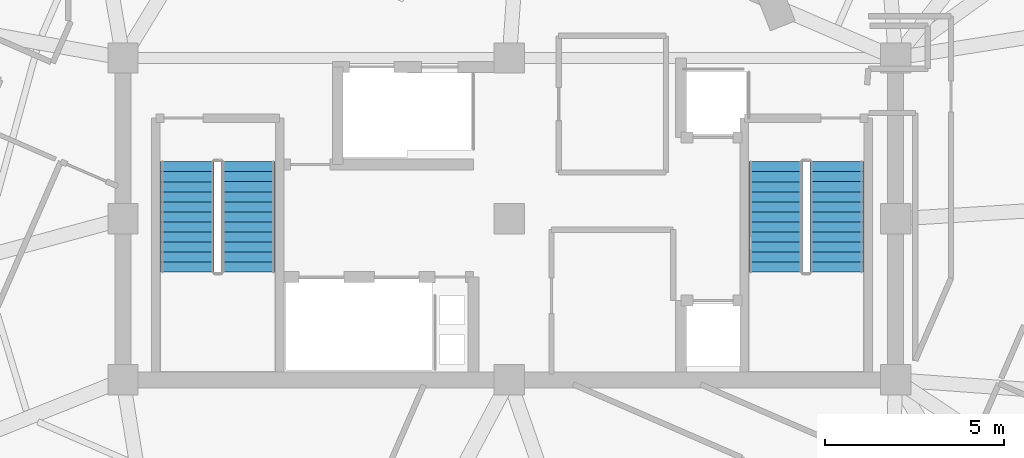
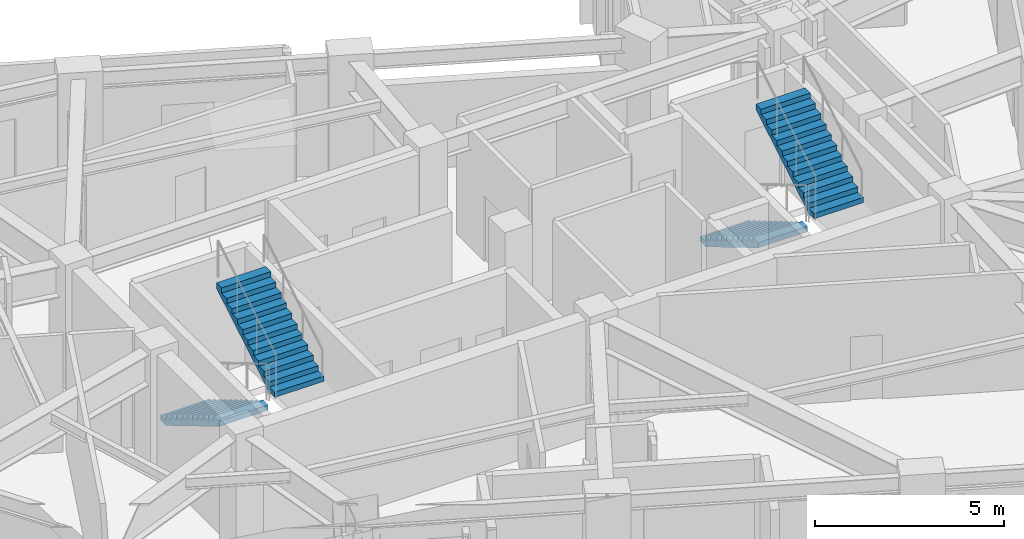
# One storey, part 8 of 12: 4 stair flights, 2 elements without a shape of their own.
"""IFC4 building model written with IfcOpenShell, lengths in metres."""

import ifcopenshell
import ifcopenshell.guid

model = None  # the IFC model being written
_history = None  # IfcOwnerHistory: only IFC2X3 demands one
_inside = {}  # id of a spatial element -> (the spatial element, [elements in it])
_under = {}  # id of a project, library or spatial element -> (it, [spatial elements below it])
_declared = {}  # id of a project -> (the project, [libraries it declares])
_typed = {}  # id of a type object -> (the type object, [elements of that type])
_made_of = {}  # id of a material, layer set ... -> (it, [elements and type objects made of it])


def new_model(schema):
    """Start an empty IFC model of exactly this schema.

    Asked for "IFC4X3", IfcOpenShell would pick the latest addendum, in which some entities
    have other attributes; the version numbers below select the first issue.
    IFC2X3 requires an IfcOwnerHistory on every rooted entity: one is made here for all.
    """
    global model, _history
    if schema == "IFC4X3":
        model = ifcopenshell.file(schema_version=(4, 3, 0, 0))
    else:
        model = ifcopenshell.file(schema=schema)
    _inside.clear()
    _under.clear()
    _declared.clear()
    _typed.clear()
    _made_of.clear()
    _history = None
    if model.schema == "IFC2X3":
        org = make("IfcOrganization", Name="unknown")
        user = make(
            "IfcPersonAndOrganization",
            ThePerson=make("IfcPerson", FamilyName="unknown"),
            TheOrganization=org,
        )
        app = make(
            "IfcApplication",
            ApplicationDeveloper=org,
            Version="unknown",
            ApplicationFullName="unknown",
            ApplicationIdentifier="unknown",
        )
        _history = make(
            "IfcOwnerHistory",
            OwningUser=user,
            OwningApplication=app,
            ChangeAction="ADDED",
            CreationDate=0,
        )
    return model


def make(cls, **values):
    """One entity of the class cls with the attributes given. An attribute that is None is left unset."""
    return model.create_entity(
        cls, **{name: value for name, value in values.items() if value is not None}
    )


def rooted(cls, **values):
    """An entity with a GlobalId (a new one), such as an element, a storey or a relation."""
    return make(cls, GlobalId=ifcopenshell.guid.new(), OwnerHistory=_history, **values)


def si_unit(unit_type, name, prefix=None):
    """IfcSIUnit, for example si_unit("LENGTHUNIT", "METRE", prefix="MILLI")."""
    return make("IfcSIUnit", UnitType=unit_type, Prefix=prefix, Name=name)


def assignment(units):
    """IfcUnitAssignment: the units of a project."""
    return None if units is None else make("IfcUnitAssignment", Units=units)


def point(xyz):
    """IfcCartesianPoint."""
    return None if xyz is None else make("IfcCartesianPoint", Coordinates=xyz)


def direction(xyz):
    """IfcDirection."""
    return None if xyz is None else make("IfcDirection", DirectionRatios=xyz)


def frame(location, z_axis=None, x_axis=None):
    """IfcAxis2Placement3D, a coordinate frame: its origin and axes. An axis left out is left unset."""
    return make(
        "IfcAxis2Placement3D",
        Location=point(location),
        Axis=direction(z_axis),
        RefDirection=direction(x_axis),
    )


def origin():
    """The frame at (0, 0, 0) with its axes left unset."""
    return frame((0.0, 0.0, 0.0))


def place(relative_to, where):
    """IfcLocalPlacement: puts the frame where relative to a parent placement (None: the world)."""
    return make(
        "IfcLocalPlacement", PlacementRelTo=relative_to, RelativePlacement=where
    )


def context(
    kind, dimensions, precision=None, world=None, true_north=None, identifier=None
):
    """IfcGeometricRepresentationContext, for example the 3D "Model" context."""
    return make(
        "IfcGeometricRepresentationContext",
        ContextIdentifier=identifier,
        ContextType=kind,
        CoordinateSpaceDimension=dimensions,
        Precision=precision,
        WorldCoordinateSystem=world,
        TrueNorth=true_north,
    )


def subcontext(parent, identifier, kind, view, scale=None):
    """IfcGeometricRepresentationSubContext, for example "Body" below "Model"."""
    return make(
        "IfcGeometricRepresentationSubContext",
        ContextIdentifier=identifier,
        ContextType=kind,
        ParentContext=parent,
        TargetScale=scale,
        TargetView=view,
    )


def project(units=None, contexts=None):
    """IfcProject with its units and contexts."""
    return rooted(
        "IfcProject",
        Name="project",
        RepresentationContexts=contexts,
        UnitsInContext=assignment(units),
    )


def spatial(cls, under=None, at=None, **own):
    """A site, building, storey or space (cls), placed at a placement, below another one or the project."""
    s = rooted(cls, ObjectPlacement=at, **own)
    if under is not None:
        _under.setdefault(under.id(), (under, []))[1].append(s)
    return s


def polyline(points):
    """IfcPolyline through the points."""
    return make("IfcPolyline", Points=[point(p) for p in points])


def outline(outer, holes=None, kind="AREA"):
    """IfcArbitraryClosedProfileDef: a profile drawn as a closed curve; with holes, ...WithVoids."""
    if holes is None:
        return make("IfcArbitraryClosedProfileDef", ProfileType=kind, OuterCurve=outer)
    return make(
        "IfcArbitraryProfileDefWithVoids",
        ProfileType=kind,
        OuterCurve=outer,
        InnerCurves=holes,
    )


def extrude(swept, where, along, depth):
    """IfcExtrudedAreaSolid: the profile swept, set in the frame where, extruded along a direction by depth."""
    return make(
        "IfcExtrudedAreaSolid",
        SweptArea=swept,
        Position=where,
        ExtrudedDirection=direction(along),
        Depth=depth,
    )


def shape(context_of_items, identifier, shape_type, items):
    """IfcShapeRepresentation: the items that make up one representation, for example the "Body"."""
    return make(
        "IfcShapeRepresentation",
        ContextOfItems=context_of_items,
        RepresentationIdentifier=identifier,
        RepresentationType=shape_type,
        Items=items,
    )


def material(Name=None, Category=None):
    """IfcMaterial."""
    return make("IfcMaterial", Name=Name, Category=Category)


def made_of(thing, what):
    """Note that an element or type object is made of a material, layer set ...; save() writes the relation."""
    if what is not None:
        _made_of.setdefault(what.id(), (what, []))[1].append(thing)
    return thing


def type_object(cls, material=None, **own):
    """A type object (cls), such as IfcWallType, which elements share."""
    return made_of(rooted(cls, **own), material)


def element(
    cls,
    number,
    at=None,
    inside=None,
    cuts=None,
    type_object=None,
    material=None,
    context=None,
    identifier="Body",
    shape_type=None,
    held_by="IfcProductDefinitionShape",
    body=None,
    shapes=None,
    **own,
):
    """One element of the class cls, such as IfcWall. Its Tag is "e" and its number.

    at: its placement. inside: the storey or other place that contains it. cuts: it is an
    opening in that element (IfcRelVoidsElement). A single representation is given by context,
    identifier, shape_type and body (its items); several are given by shapes. held_by: the class
    of the entity that holds the representations. save() writes the other relations.
    """
    e = rooted(cls, Tag="e%d" % number, ObjectPlacement=at, **own)
    if body is not None:
        shapes = [shape(context, identifier, shape_type, body)]
    if shapes is not None:
        e.Representation = make(held_by, Representations=shapes)
    if inside is not None:
        _inside.setdefault(inside.id(), (inside, []))[1].append(e)
    if cuts is not None:
        rooted(
            "IfcRelVoidsElement", RelatingBuildingElement=cuts, RelatedOpeningElement=e
        )
    if type_object is not None:
        _typed.setdefault(type_object.id(), (type_object, []))[1].append(e)
    return made_of(e, material)


def aggregate(whole, parts):
    """IfcRelAggregates: a whole, such as a stair, and the parts it consists of."""
    return rooted("IfcRelAggregates", RelatingObject=whole, RelatedObjects=parts)


def save(model, path):
    """Write the relations noted so far, then the file.

    IfcRelAggregates (storeys below a building ...), IfcRelContainedInSpatialStructure (elements
    in a storey), IfcRelDefinesByType, IfcRelAssociatesMaterial and IfcRelDeclares: one each for
    every whole, place, type object, material and project.
    """
    for whole, parts in _under.values():
        aggregate(whole, parts)
    for where, things in _inside.values():
        rooted(
            "IfcRelContainedInSpatialStructure",
            RelatedElements=things,
            RelatingStructure=where,
        )
    for kind, things in _typed.values():
        rooted("IfcRelDefinesByType", RelatedObjects=things, RelatingType=kind)
    for what, things in _made_of.values():
        rooted("IfcRelAssociatesMaterial", RelatedObjects=things, RelatingMaterial=what)
    for by, libraries in _declared.values():
        rooted("IfcRelDeclares", RelatingContext=by, RelatedDefinitions=libraries)
    model.write(path)


model = new_model("IFC4")

# Units and contexts
model_context = context("Model", 3, precision=1e-05, world=origin(), true_north=direction((0.0, 1.0)))
body_context = subcontext(model_context, "Body", "Model", "MODEL_VIEW")
ifc_project = project(units=[si_unit("LENGTHUNIT", "METRE"), si_unit("AREAUNIT", "SQUARE_METRE"), si_unit("VOLUMEUNIT", "CUBIC_METRE"), si_unit("PLANEANGLEUNIT", "RADIAN"), si_unit("MASSUNIT", "GRAM", prefix="KILO")], contexts=[model_context])

# Site, building, storey
site_placement = place(None, origin())
site = spatial("IfcSite", under=ifc_project, at=site_placement, CompositionType="ELEMENT")
building_placement = place(site_placement, origin())
building = spatial("IfcBuilding", under=site, at=building_placement, Name="Gaonmaruhae Medical Tower", CompositionType="ELEMENT")
storey_placement = place(building_placement, frame((0.0, 0.0, 308.60009765625)))
storey = spatial("IfcBuildingStorey", under=building, at=storey_placement, Name="L74", CompositionType="ELEMENT", Elevation=308.60009765625)

# Stair, stair flights
ifc_material = material(Name="Concrete C40/50", Category="concrete")
stair_type = type_object("IfcStairType", Name="ST-T1 Primary Core Escape Dogleg Stair", PredefinedType="TWO_QUARTER_TURN_STAIR", material=ifc_material)
stair_1_placement = place(storey_placement, origin())
stair_1 = element("IfcStair", 1, at=stair_1_placement, inside=storey, type_object=stair_type, Name="L74 Protected Escape Stair ST-01", PredefinedType="TWO_QUARTER_TURN_STAIR")
stair_flight_type = type_object("IfcStairFlightType", Name="SF-T1 Primary Core Precast Stair Flight", PredefinedType="STRAIGHT", material=ifc_material)
stair_flight_1_placement = place(storey_placement, frame((15.800048828125, 13.89990234375, 0.0), z_axis=(0.0, 0.0, 1.0), x_axis=(0.0, -1.0, 0.0)))
stair_flight_1 = element("IfcStairFlight", 2, at=stair_flight_1_placement, type_object=stair_flight_type, Name="ST-01 flight 1", NumberOfRisers=12, NumberOfTreads=11, PredefinedType="STRAIGHT", RiserHeight=0.166666667, TreadLength=0.28, context=body_context, shape_type="SweptSolid", body=[
    extrude(outline(polyline([(0.0, 0.0), (0.0, 0.166748046875), (0.280029296875, 0.166748046875), (0.280029296875, 0.333251953125), (0.56005859375, 0.333251953125), (0.56005859375, 0.5), (0.840087890625, 0.5), (0.840087890625, 0.666748046875), (1.1201171875, 0.666748046875), (1.1201171875, 0.833251953125), (1.39990234375, 0.833251953125), (1.39990234375, 1.0), (1.679931640625, 1.0), (1.679931640625, 1.166748046875), (1.9599609375, 1.166748046875), (1.9599609375, 1.333251953125), (2.239990234375, 1.333251953125), (2.239990234375, 1.5), (2.52001953125, 1.5), (2.52001953125, 1.666748046875), (2.800048828125, 1.666748046875), (2.800048828125, 1.833251953125), (3.080078125, 1.833251953125), (3.080078125, 2.0), (3.080078125, 1.658935546875), (0.29296875, 0.0), (0.0, 0.0)])), frame((0.0, 0.75, 0.0), z_axis=(0.0, -1.0, 0.0), x_axis=(1.0, 0.0, 0.0)), (0.0, 0.0, 1.0), 1.5),
])
stair_flight_2_placement = place(storey_placement, frame((17.5, 10.820068359375, 2.0), z_axis=(0.0, 0.0, 1.0), x_axis=(0.0, 1.0, 0.0)))
stair_flight_2 = element("IfcStairFlight", 3, at=stair_flight_2_placement, type_object=stair_flight_type, Name="ST-01 flight 2", NumberOfRisers=12, NumberOfTreads=11, PredefinedType="STRAIGHT", RiserHeight=0.166666667, TreadLength=0.28, context=body_context, shape_type="SweptSolid", body=[
    extrude(outline(polyline([(0.0, 0.0), (0.0, 0.166748046875), (0.280029296875, 0.166748046875), (0.280029296875, 0.333251953125), (0.56005859375, 0.333251953125), (0.56005859375, 0.5), (0.840087890625, 0.5), (0.840087890625, 0.666748046875), (1.1201171875, 0.666748046875), (1.1201171875, 0.833251953125), (1.39990234375, 0.833251953125), (1.39990234375, 1.0), (1.679931640625, 1.0), (1.679931640625, 1.166748046875), (1.9599609375, 1.166748046875), (1.9599609375, 1.333251953125), (2.239990234375, 1.333251953125), (2.239990234375, 1.5), (2.52001953125, 1.5), (2.52001953125, 1.666748046875), (2.800048828125, 1.666748046875), (2.800048828125, 1.833251953125), (3.080078125, 1.833251953125), (3.080078125, 2.0), (3.080078125, 1.658935546875), (0.29296875, 0.0), (0.0, 0.0)])), frame((0.0, 0.75, 0.0), z_axis=(0.0, -1.0, 0.0), x_axis=(1.0, 0.0, 0.0)), (0.0, 0.0, 1.0), 1.5),
])
aggregate(stair_1, [stair_flight_1, stair_flight_2])

stair_2_placement = place(storey_placement, origin())
stair_2 = element("IfcStair", 4, at=stair_2_placement, inside=storey, type_object=stair_type, Name="L74 Protected Escape Stair ST-02", PredefinedType="TWO_QUARTER_TURN_STAIR")
stair_flight_3_placement = place(storey_placement, frame((32.25, 13.89990234375, 0.0), z_axis=(0.0, 0.0, 1.0), x_axis=(0.0, -1.0, 0.0)))
stair_flight_3 = element("IfcStairFlight", 5, at=stair_flight_3_placement, type_object=stair_flight_type, Name="ST-02 flight 1", NumberOfRisers=12, NumberOfTreads=11, PredefinedType="STRAIGHT", RiserHeight=0.166666667, TreadLength=0.28, context=body_context, shape_type="SweptSolid", body=[
    extrude(outline(polyline([(0.0, 0.0), (0.0, 0.166748046875), (0.280029296875, 0.166748046875), (0.280029296875, 0.333251953125), (0.56005859375, 0.333251953125), (0.56005859375, 0.5), (0.840087890625, 0.5), (0.840087890625, 0.666748046875), (1.1201171875, 0.666748046875), (1.1201171875, 0.833251953125), (1.39990234375, 0.833251953125), (1.39990234375, 1.0), (1.679931640625, 1.0), (1.679931640625, 1.166748046875), (1.9599609375, 1.166748046875), (1.9599609375, 1.333251953125), (2.239990234375, 1.333251953125), (2.239990234375, 1.5), (2.52001953125, 1.5), (2.52001953125, 1.666748046875), (2.800048828125, 1.666748046875), (2.800048828125, 1.833251953125), (3.080078125, 1.833251953125), (3.080078125, 2.0), (3.080078125, 1.658935546875), (0.29296875, 0.0), (0.0, 0.0)])), frame((0.0, 0.75, 0.0), z_axis=(0.0, -1.0, 0.0), x_axis=(1.0, 0.0, 0.0)), (0.0, 0.0, 1.0), 1.5),
])
stair_flight_4_placement = place(storey_placement, frame((33.949951171875, 10.820068359375, 2.0), z_axis=(0.0, 0.0, 1.0), x_axis=(0.0, 1.0, 0.0)))
stair_flight_4 = element("IfcStairFlight", 6, at=stair_flight_4_placement, type_object=stair_flight_type, Name="ST-02 flight 2", NumberOfRisers=12, NumberOfTreads=11, PredefinedType="STRAIGHT", RiserHeight=0.166666667, TreadLength=0.28, context=body_context, shape_type="SweptSolid", body=[
    extrude(outline(polyline([(0.0, 0.0), (0.0, 0.166748046875), (0.280029296875, 0.166748046875), (0.280029296875, 0.333251953125), (0.56005859375, 0.333251953125), (0.56005859375, 0.5), (0.840087890625, 0.5), (0.840087890625, 0.666748046875), (1.1201171875, 0.666748046875), (1.1201171875, 0.833251953125), (1.39990234375, 0.833251953125), (1.39990234375, 1.0), (1.679931640625, 1.0), (1.679931640625, 1.166748046875), (1.9599609375, 1.166748046875), (1.9599609375, 1.333251953125), (2.239990234375, 1.333251953125), (2.239990234375, 1.5), (2.52001953125, 1.5), (2.52001953125, 1.666748046875), (2.800048828125, 1.666748046875), (2.800048828125, 1.833251953125), (3.080078125, 1.833251953125), (3.080078125, 2.0), (3.080078125, 1.658935546875), (0.29296875, 0.0), (0.0, 0.0)])), frame((0.0, 0.75, 0.0), z_axis=(0.0, -1.0, 0.0), x_axis=(1.0, 0.0, 0.0)), (0.0, 0.0, 1.0), 1.5),
])
aggregate(stair_2, [stair_flight_3, stair_flight_4])

save(model, "model.ifc")
